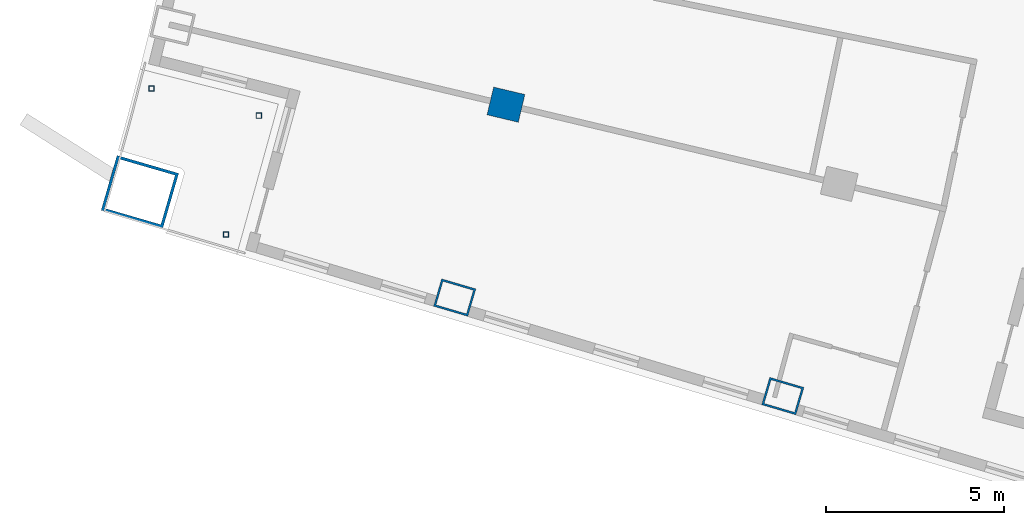
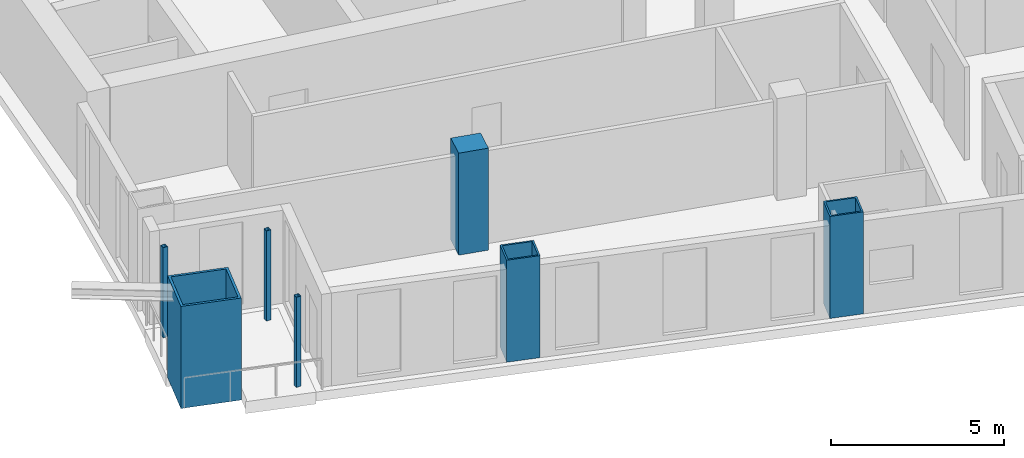
# One storey, part 1 of 20: 7 columns.
"""IFC4 building model written with IfcOpenShell, lengths in metres."""

from ifc_helpers import new_model, si_unit, direction, frame, origin, origin_2d, place, context, subcontext, project, spatial, rectangle, hollow_rectangle, extrude, material, material_profile, profile_set, type_object, element, save


model = new_model("IFC4")

# Units and contexts
model_context = context("Model", 3, precision=1e-05, world=origin(), true_north=direction((0.0, 1.0)))
body_context = subcontext(model_context, "Body", "Model", "MODEL_VIEW")
ifc_project = project(units=[si_unit("LENGTHUNIT", "METRE"), si_unit("AREAUNIT", "SQUARE_METRE"), si_unit("VOLUMEUNIT", "CUBIC_METRE"), si_unit("PLANEANGLEUNIT", "RADIAN"), si_unit("MASSUNIT", "GRAM", prefix="KILO")], contexts=[model_context])

# Site, building, storey
site_placement = place(None, origin())
site = spatial("IfcSite", under=ifc_project, at=site_placement, CompositionType="ELEMENT")
building_placement = place(site_placement, origin())
building = spatial("IfcBuilding", under=site, at=building_placement, Name="Alderwake Tower", CompositionType="ELEMENT")
storey_placement = place(building_placement, frame((0.0, 0.0, 153.199951171875)))
storey = spatial("IfcBuildingStorey", under=building, at=storey_placement, Name="L37", CompositionType="ELEMENT", Elevation=153.199951171875)

# Columns
ifc_material_1 = material(Name="Steel ASTM A572 Grade 50 concrete filled C70/85", Category="concrete")
ifc_material_profile_1 = material_profile(ifc_material_1, hollow_rectangle(XDim=0.800048828125, YDim=1.0, WallThickness=0.054931640625, at=origin_2d()), Name="BOX 1000X800X55")
ifc_profile_set_1 = profile_set([ifc_material_profile_1], Name="Steel ASTM A572 Grade 50 concrete filled C70/85")
column_type_1 = type_object("IfcColumnType", Name="End column Z3", PredefinedType="COLUMN", material=ifc_profile_set_1)
for number, where, z_axis, x_axis, name in (
    (1, (21.885498046875, 31.03759765625, 0.0), (0.0, 0.0, 1.0), (0.282132160283, 0.95937554906, 0.0), "Column R02-C1"),
    (2, (31.080322265625, 28.27685546875, 0.0), (0.0, 0.0, 1.0), (0.282582549822, 0.959242984095, 0.0), "Column R02-C2"),
):
    element("IfcColumn", number, at=place(storey_placement, frame(where, z_axis=z_axis, x_axis=x_axis)), inside=storey, type_object=column_type_1, Name=name, PredefinedType="COLUMN", context=body_context, shape_type="SweptSolid", body=[
        extrude(hollow_rectangle(XDim=0.800048828125, YDim=1.0, WallThickness=0.054931640625, at=origin_2d()), origin(), (0.0, 0.0, 1.0), 3.60009765625),
    ])
ifc_material_2 = material(Name="Concrete C70/85", Category="concrete")
ifc_material_profile_2 = material_profile(ifc_material_2, rectangle(XDim=0.800048828125, YDim=0.89990234375, at=origin_2d()), Name="RC 900X800")
ifc_profile_set_2 = profile_set([ifc_material_profile_2], Name="Concrete C70/85")
column_type_2 = type_object("IfcColumnType", Name="Interior column Z3", PredefinedType="COLUMN", material=ifc_profile_set_2)
column_1_placement = place(storey_placement, frame((23.322021484375, 36.444091796875, 0.0), z_axis=(0.0, 0.0, 1.0), x_axis=(0.231221547198, 0.972901123502, 0.0)))
element("IfcColumn", 3, at=column_1_placement, inside=storey, type_object=column_type_2, Name="Column R03-C1", PredefinedType="COLUMN", context=body_context, shape_type="SweptSolid", body=[
    extrude(rectangle(XDim=0.800048828125, YDim=0.89990234375, at=origin_2d()), origin(), (0.0, 0.0, 1.0), 3.60009765625),
])
ifc_material_3 = material(Name="Steel ASTM A500 Grade C", Category="steel")
ifc_material_profile_3 = material_profile(ifc_material_3, hollow_rectangle(XDim=0.15234375, YDim=0.15234375, WallThickness=0.0087890625, at=origin_2d()), Name="HSS6X6X3/8")
ifc_profile_set_3 = profile_set([ifc_material_profile_3], Name="Steel ASTM A500 Grade C")
column_type_3 = type_object("IfcColumnType", Name="Light post HSS6X6X3/8", PredefinedType="COLUMN", material=ifc_profile_set_3)
for number, where, z_axis, x_axis, name in (
    (4, (13.3896484375, 36.896484375, 0.0), (0.0, 0.0, 1.0), (1.0, 0.0, 0.0), "Terrace post RS1"),
    (5, (15.47412109375, 32.805908203125, 0.0), (0.0, 0.0, 1.0), (1.0, 0.0, 0.0), "Terrace post RS2"),
    (6, (16.39501953125, 36.135986328125, 0.0), (0.0, 0.0, 1.0), (1.0, 0.0, 0.0), "Terrace post RS3"),
):
    element("IfcColumn", number, at=place(storey_placement, frame(where, z_axis=z_axis, x_axis=x_axis)), inside=storey, type_object=column_type_3, Name=name, PredefinedType="COLUMN", context=body_context, shape_type="SweptSolid", body=[
        extrude(hollow_rectangle(XDim=0.15234375, YDim=0.15234375, WallThickness=0.0087890625, at=origin_2d()), origin(), (0.0, 0.0, 1.0), 3.179931640625),
    ])
ifc_material_4 = material(Name="Steel ASTM A572 Grade 50 concrete filled C70/85", Category="concrete")
ifc_material_profile_4 = material_profile(ifc_material_4, hollow_rectangle(XDim=1.60009765625, YDim=1.800048828125, WallThickness=0.080078125, at=origin_2d()), Name="BOX 1800X1600X80")
ifc_profile_set_4 = profile_set([ifc_material_profile_4], Name="Steel ASTM A572 Grade 50 concrete filled C70/85")
column_type_4 = type_object("IfcColumnType", Name="Mega column Z3", PredefinedType="COLUMN", material=ifc_profile_set_4)
column_2_placement = place(storey_placement, frame((13.06298828125, 34.00244140625, 0.0), z_axis=(0.0, 0.0, 1.0), x_axis=(0.278612301868, 0.960403657452, 0.0)))
element("IfcColumn", 7, at=column_2_placement, inside=storey, type_object=column_type_4, Name="Column R02-C0", PredefinedType="COLUMN", context=body_context, shape_type="SweptSolid", body=[
    extrude(hollow_rectangle(XDim=1.60009765625, YDim=1.800048828125, WallThickness=0.080078125, at=origin_2d()), origin(), (0.0, 0.0, 1.0), 3.60009765625),
])

save(model, "model.ifc")
